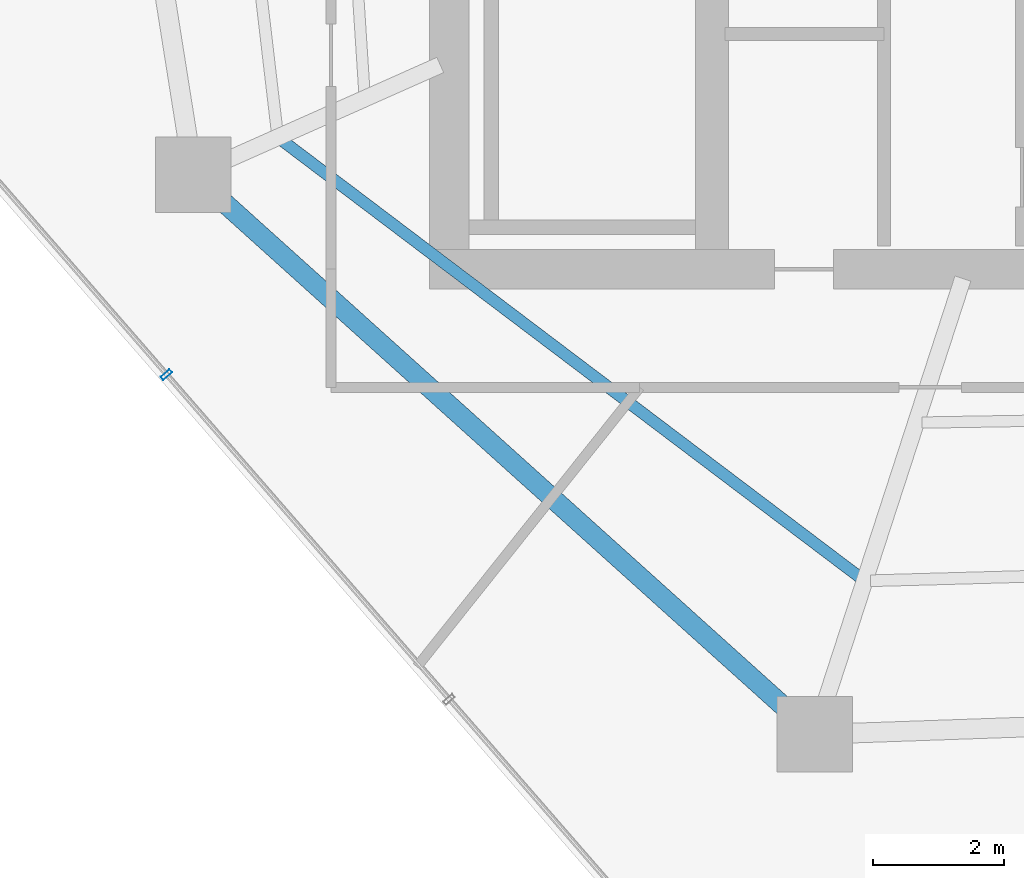
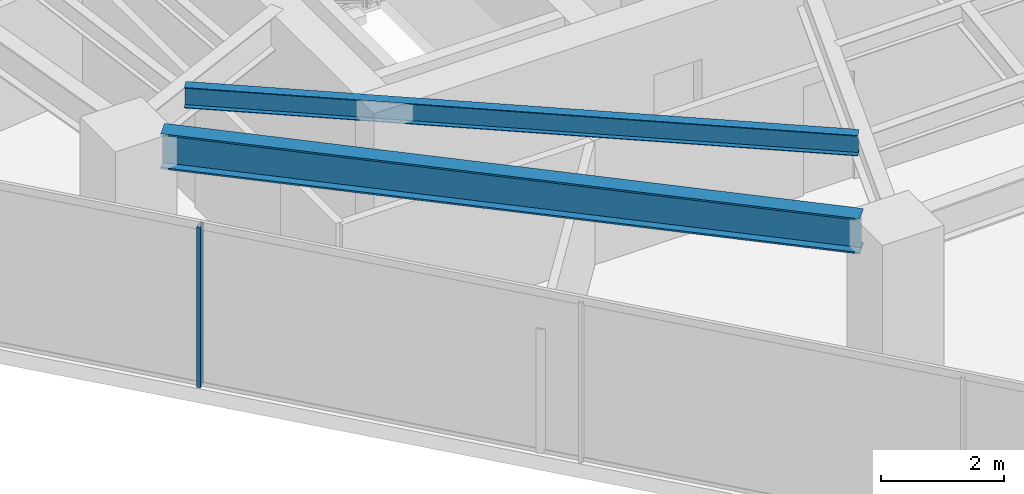
# One storey, part 4 of 27: 2 beams, 1 member, 1 element without a shape of its own.
"""IFC4 building model written with IfcOpenShell, lengths in metres."""

from ifc_helpers import new_model, si_unit, direction, frame, origin, origin_2d, place, context, subcontext, project, spatial, hollow_rectangle, i_section, extrude, material, layer, layer_set, material_profile, profile_set, type_object, element, aggregate, save


model = new_model("IFC4")

# Units and contexts
model_context = context("Model", 3, precision=1e-05, world=origin(), true_north=direction((0.0, 1.0)))
body_context = subcontext(model_context, "Body", "Model", "MODEL_VIEW")
ifc_project = project(units=[si_unit("LENGTHUNIT", "METRE"), si_unit("AREAUNIT", "SQUARE_METRE"), si_unit("VOLUMEUNIT", "CUBIC_METRE"), si_unit("PLANEANGLEUNIT", "RADIAN"), si_unit("MASSUNIT", "GRAM", prefix="KILO")], contexts=[model_context])

# Site, building, storey
site_placement = place(None, origin())
site = spatial("IfcSite", under=ifc_project, at=site_placement, CompositionType="ELEMENT")
building_placement = place(site_placement, origin())
building = spatial("IfcBuilding", under=site, at=building_placement, Name="Qarnah Convention Tower", CompositionType="ELEMENT")
storey_placement = place(building_placement, frame((0.0, 0.0, 107.39990234375)))
storey = spatial("IfcBuildingStorey", under=building, at=storey_placement, Name="L28", CompositionType="ELEMENT", Elevation=107.39990234375)

# Beams
ifc_material_1 = material(Name="Structural steel S355JR", Category="steel")
ifc_material_profile_1 = material_profile(ifc_material_1, i_section(OverallWidth=0.177978515625, OverallDepth=0.407958984375, WebThickness=0.008056640625, FlangeThickness=0.012939453125, at=origin_2d()), Name="W410X60")
ifc_profile_set_1 = profile_set([ifc_material_profile_1], Name="Structural steel S355JR")
beam_type_1 = type_object("IfcBeamType", Name="BM-JST-W410", PredefinedType="JOIST", material=ifc_profile_set_1)
beam_1_placement = place(storey_placement, frame((24.260986328125, 20.553955078125, 2.966064453125), z_axis=(0.797697280495, -0.603058080694, 0.0), x_axis=(0.603058080694, 0.797697280495, 0.0)))
element("IfcBeam", 1, at=beam_1_placement, inside=storey, type_object=beam_type_1, Name="L28 joist BM-L28-SJST-06", PredefinedType="JOIST", context=body_context, shape_type="SweptSolid", body=[
    extrude(i_section(OverallWidth=0.177978515625, OverallDepth=0.407958984375, WebThickness=0.008056640625, FlangeThickness=0.012939453125, at=origin_2d()), origin(), (0.0, 0.0, 1.0), 11.0205078125),
])
ifc_material_profile_2 = material_profile(ifc_material_1, i_section(OverallWidth=0.300048828125, OverallDepth=0.699951171875, WebThickness=0.01708984375, FlangeThickness=0.031982421875, at=origin_2d()), Name="HEB700")
ifc_profile_set_2 = profile_set([ifc_material_profile_2], Name="Structural steel S355JR")
beam_type_2 = type_object("IfcBeamType", Name="BM-RING-HEB700", PredefinedType="BEAM", material=ifc_profile_set_2)
beam_2_placement = place(storey_placement, frame((23.322998046875, 19.656982421875, 2.820068359375), z_axis=(0.743124603424, -0.669153064541, 0.0), x_axis=(0.669153064541, 0.743124603424, 0.0)))
element("IfcBeam", 2, at=beam_2_placement, inside=storey, type_object=beam_type_2, Name="L28 beam BM-L28-SPN-06", PredefinedType="BEAM", context=body_context, shape_type="SweptSolid", body=[
    extrude(i_section(OverallWidth=0.300048828125, OverallDepth=0.699951171875, WebThickness=0.01708984375, FlangeThickness=0.031982421875, at=origin_2d()), origin(), (0.0, 0.0, 1.0), 11.60107421875),
])

# Curtain wall, member
ifc_material_2 = material(Name="Tempered Low-E dark glass", Category="glass")
ifc_layer = layer(ifc_material_2, 0.169921875)
ifc_layer_set = layer_set([ifc_layer], Name="Tempered Low-E dark glass")
curtain_wall_type = type_object("IfcCurtainWallType", Name="CWS-02", PredefinedType="NOTDEFINED", material=ifc_layer_set)
curtain_wall_placement = place(storey_placement, origin())
curtain_wall = element("IfcCurtainWall", 3, at=curtain_wall_placement, inside=storey, type_object=curtain_wall_type, Name="L28 unitised curtain wall CW-L28-F3", PredefinedType="NOTDEFINED")
ifc_material_3 = material(Name="Black anodised aluminium", Category="aluminium")
ifc_material_profile_3 = material_profile(ifc_material_3, hollow_rectangle(XDim=0.06494140625, YDim=0.179931640625, WallThickness=0.00390625, at=origin_2d()), Name="MUL-65X180")
ifc_profile_set_3 = profile_set([ifc_material_profile_3], Name="Black anodised aluminium")
member_type = type_object("IfcMemberType", Name="MUL-T2", PredefinedType="MULLION", material=ifc_profile_set_3)
member_placement = place(storey_placement, frame((22.49365234375, 16.993896484375, 0.0), z_axis=(0.0, 0.0, 1.0), x_axis=(-0.6565842682, 0.754252675668, 0.0)))
member = element("IfcMember", 4, at=member_placement, type_object=member_type, Name="CW-L28-F3 mullion 4", PredefinedType="MULLION", context=body_context, shape_type="SweptSolid", body=[
    extrude(hollow_rectangle(XDim=0.06494140625, YDim=0.179931640625, WallThickness=0.00390625, at=origin_2d()), origin(), (0.0, 0.0, 1.0), 3.170166015625),
])
aggregate(curtain_wall, [member])

save(model, "model.ifc")
